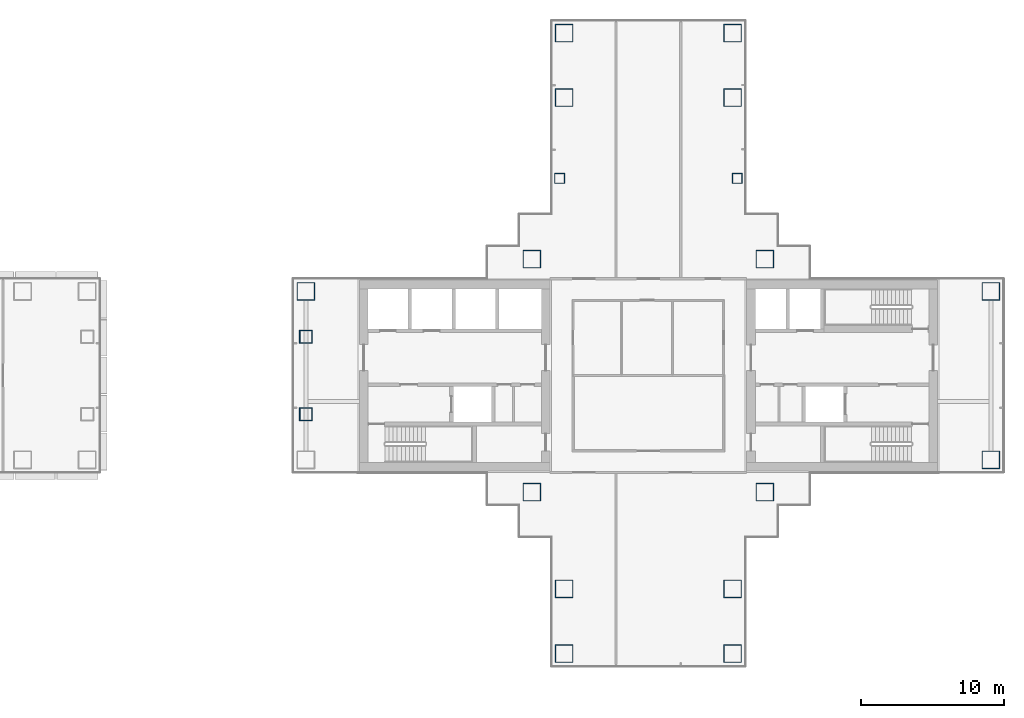
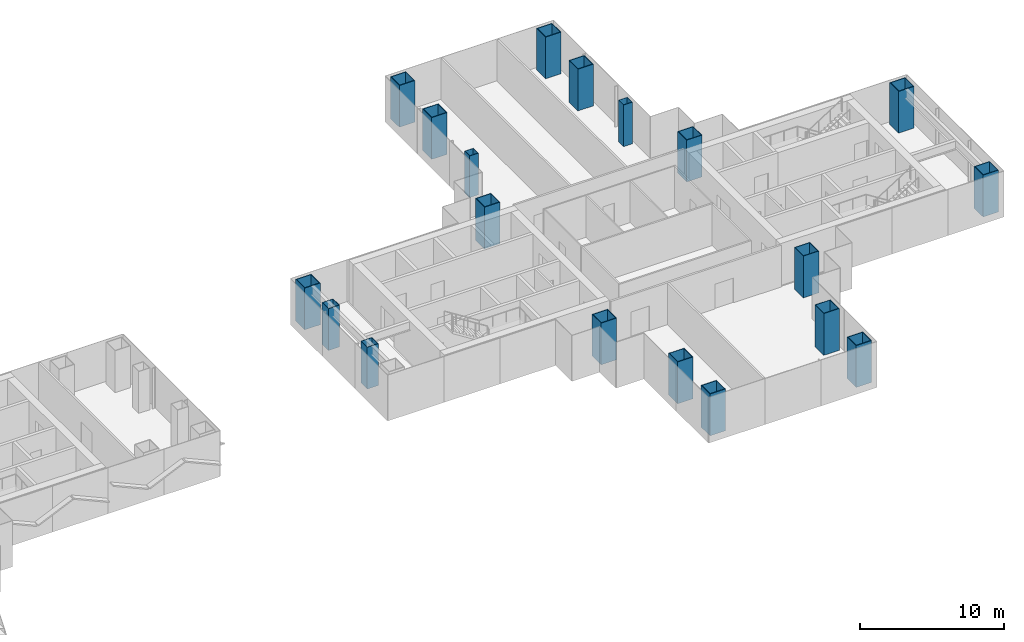
# One storey, part 2 of 18: 19 columns.
"""IFC4 building model written with IfcOpenShell, lengths in metres."""

import ifcopenshell
import ifcopenshell.guid

model = None  # the IFC model being written
_history = None  # IfcOwnerHistory: only IFC2X3 demands one
_inside = {}  # id of a spatial element -> (the spatial element, [elements in it])
_under = {}  # id of a project, library or spatial element -> (it, [spatial elements below it])
_declared = {}  # id of a project -> (the project, [libraries it declares])
_typed = {}  # id of a type object -> (the type object, [elements of that type])
_made_of = {}  # id of a material, layer set ... -> (it, [elements and type objects made of it])


def new_model(schema):
    """Start an empty IFC model of exactly this schema.

    Asked for "IFC4X3", IfcOpenShell would pick the latest addendum, in which some entities
    have other attributes; the version numbers below select the first issue.
    IFC2X3 requires an IfcOwnerHistory on every rooted entity: one is made here for all.
    """
    global model, _history
    if schema == "IFC4X3":
        model = ifcopenshell.file(schema_version=(4, 3, 0, 0))
    else:
        model = ifcopenshell.file(schema=schema)
    _inside.clear()
    _under.clear()
    _declared.clear()
    _typed.clear()
    _made_of.clear()
    _history = None
    if model.schema == "IFC2X3":
        org = make("IfcOrganization", Name="unknown")
        user = make(
            "IfcPersonAndOrganization",
            ThePerson=make("IfcPerson", FamilyName="unknown"),
            TheOrganization=org,
        )
        app = make(
            "IfcApplication",
            ApplicationDeveloper=org,
            Version="unknown",
            ApplicationFullName="unknown",
            ApplicationIdentifier="unknown",
        )
        _history = make(
            "IfcOwnerHistory",
            OwningUser=user,
            OwningApplication=app,
            ChangeAction="ADDED",
            CreationDate=0,
        )
    return model


def make(cls, **values):
    """One entity of the class cls with the attributes given. An attribute that is None is left unset."""
    return model.create_entity(
        cls, **{name: value for name, value in values.items() if value is not None}
    )


def rooted(cls, **values):
    """An entity with a GlobalId (a new one), such as an element, a storey or a relation."""
    return make(cls, GlobalId=ifcopenshell.guid.new(), OwnerHistory=_history, **values)


def si_unit(unit_type, name, prefix=None):
    """IfcSIUnit, for example si_unit("LENGTHUNIT", "METRE", prefix="MILLI")."""
    return make("IfcSIUnit", UnitType=unit_type, Prefix=prefix, Name=name)


def assignment(units):
    """IfcUnitAssignment: the units of a project."""
    return None if units is None else make("IfcUnitAssignment", Units=units)


def point(xyz):
    """IfcCartesianPoint."""
    return None if xyz is None else make("IfcCartesianPoint", Coordinates=xyz)


def direction(xyz):
    """IfcDirection."""
    return None if xyz is None else make("IfcDirection", DirectionRatios=xyz)


def frame(location, z_axis=None, x_axis=None):
    """IfcAxis2Placement3D, a coordinate frame: its origin and axes. An axis left out is left unset."""
    return make(
        "IfcAxis2Placement3D",
        Location=point(location),
        Axis=direction(z_axis),
        RefDirection=direction(x_axis),
    )


def frame_2d(location, x_axis=None):
    """IfcAxis2Placement2D, a coordinate frame in the plane: its origin and x axis."""
    return make(
        "IfcAxis2Placement2D", Location=point(location), RefDirection=direction(x_axis)
    )


def origin():
    """The frame at (0, 0, 0) with its axes left unset."""
    return frame((0.0, 0.0, 0.0))


def origin_2d():
    """The frame at (0, 0) in the plane with its x axis left unset."""
    return frame_2d((0.0, 0.0))


def place(relative_to, where):
    """IfcLocalPlacement: puts the frame where relative to a parent placement (None: the world)."""
    return make(
        "IfcLocalPlacement", PlacementRelTo=relative_to, RelativePlacement=where
    )


def context(
    kind, dimensions, precision=None, world=None, true_north=None, identifier=None
):
    """IfcGeometricRepresentationContext, for example the 3D "Model" context."""
    return make(
        "IfcGeometricRepresentationContext",
        ContextIdentifier=identifier,
        ContextType=kind,
        CoordinateSpaceDimension=dimensions,
        Precision=precision,
        WorldCoordinateSystem=world,
        TrueNorth=true_north,
    )


def subcontext(parent, identifier, kind, view, scale=None):
    """IfcGeometricRepresentationSubContext, for example "Body" below "Model"."""
    return make(
        "IfcGeometricRepresentationSubContext",
        ContextIdentifier=identifier,
        ContextType=kind,
        ParentContext=parent,
        TargetScale=scale,
        TargetView=view,
    )


def project(units=None, contexts=None):
    """IfcProject with its units and contexts."""
    return rooted(
        "IfcProject",
        Name="project",
        RepresentationContexts=contexts,
        UnitsInContext=assignment(units),
    )


def spatial(cls, under=None, at=None, **own):
    """A site, building, storey or space (cls), placed at a placement, below another one or the project."""
    s = rooted(cls, ObjectPlacement=at, **own)
    if under is not None:
        _under.setdefault(under.id(), (under, []))[1].append(s)
    return s


def profile(cls, at=None, kind="AREA", **sizes):
    """A parametric profile (cls). Its sizes go by their IFC names, for example OverallWidth=200.0."""
    return make(cls, ProfileType=kind, Position=at, **sizes)


def hollow_rectangle(**sizes):
    """IfcRectangleHollowProfileDef."""
    return profile("IfcRectangleHollowProfileDef", **sizes)


def extrude(swept, where, along, depth):
    """IfcExtrudedAreaSolid: the profile swept, set in the frame where, extruded along a direction by depth."""
    return make(
        "IfcExtrudedAreaSolid",
        SweptArea=swept,
        Position=where,
        ExtrudedDirection=direction(along),
        Depth=depth,
    )


def shape(context_of_items, identifier, shape_type, items):
    """IfcShapeRepresentation: the items that make up one representation, for example the "Body"."""
    return make(
        "IfcShapeRepresentation",
        ContextOfItems=context_of_items,
        RepresentationIdentifier=identifier,
        RepresentationType=shape_type,
        Items=items,
    )


def material(Name=None, Category=None):
    """IfcMaterial."""
    return make("IfcMaterial", Name=Name, Category=Category)


def material_profile(
    of_material, cross_section, Name=None, Category=None, Priority=None
):
    """IfcMaterialProfile: a cross section and its material."""
    return make(
        "IfcMaterialProfile",
        Name=Name,
        Material=of_material,
        Profile=cross_section,
        Priority=Priority,
        Category=Category,
    )


def profile_set(profiles, Name=None, composite=None):
    """IfcMaterialProfileSet."""
    return make(
        "IfcMaterialProfileSet",
        Name=Name,
        MaterialProfiles=profiles,
        CompositeProfile=composite,
    )


def made_of(thing, what):
    """Note that an element or type object is made of a material, layer set ...; save() writes the relation."""
    if what is not None:
        _made_of.setdefault(what.id(), (what, []))[1].append(thing)
    return thing


def type_object(cls, material=None, **own):
    """A type object (cls), such as IfcWallType, which elements share."""
    return made_of(rooted(cls, **own), material)


def element(
    cls,
    number,
    at=None,
    inside=None,
    cuts=None,
    type_object=None,
    material=None,
    context=None,
    identifier="Body",
    shape_type=None,
    held_by="IfcProductDefinitionShape",
    body=None,
    shapes=None,
    **own,
):
    """One element of the class cls, such as IfcWall. Its Tag is "e" and its number.

    at: its placement. inside: the storey or other place that contains it. cuts: it is an
    opening in that element (IfcRelVoidsElement). A single representation is given by context,
    identifier, shape_type and body (its items); several are given by shapes. held_by: the class
    of the entity that holds the representations. save() writes the other relations.
    """
    e = rooted(cls, Tag="e%d" % number, ObjectPlacement=at, **own)
    if body is not None:
        shapes = [shape(context, identifier, shape_type, body)]
    if shapes is not None:
        e.Representation = make(held_by, Representations=shapes)
    if inside is not None:
        _inside.setdefault(inside.id(), (inside, []))[1].append(e)
    if cuts is not None:
        rooted(
            "IfcRelVoidsElement", RelatingBuildingElement=cuts, RelatedOpeningElement=e
        )
    if type_object is not None:
        _typed.setdefault(type_object.id(), (type_object, []))[1].append(e)
    return made_of(e, material)


def aggregate(whole, parts):
    """IfcRelAggregates: a whole, such as a stair, and the parts it consists of."""
    return rooted("IfcRelAggregates", RelatingObject=whole, RelatedObjects=parts)


def save(model, path):
    """Write the relations noted so far, then the file.

    IfcRelAggregates (storeys below a building ...), IfcRelContainedInSpatialStructure (elements
    in a storey), IfcRelDefinesByType, IfcRelAssociatesMaterial and IfcRelDeclares: one each for
    every whole, place, type object, material and project.
    """
    for whole, parts in _under.values():
        aggregate(whole, parts)
    for where, things in _inside.values():
        rooted(
            "IfcRelContainedInSpatialStructure",
            RelatedElements=things,
            RelatingStructure=where,
        )
    for kind, things in _typed.values():
        rooted("IfcRelDefinesByType", RelatedObjects=things, RelatingType=kind)
    for what, things in _made_of.values():
        rooted("IfcRelAssociatesMaterial", RelatedObjects=things, RelatingMaterial=what)
    for by, libraries in _declared.values():
        rooted("IfcRelDeclares", RelatingContext=by, RelatedDefinitions=libraries)
    model.write(path)


model = new_model("IFC4")

# Units and contexts
model_context = context("Model", 3, precision=1e-05, world=origin(), true_north=direction((0.0, 1.0)))
body_context = subcontext(model_context, "Body", "Model", "MODEL_VIEW")
ifc_project = project(units=[si_unit("LENGTHUNIT", "METRE"), si_unit("AREAUNIT", "SQUARE_METRE"), si_unit("VOLUMEUNIT", "CUBIC_METRE"), si_unit("PLANEANGLEUNIT", "RADIAN"), si_unit("MASSUNIT", "GRAM", prefix="KILO")], contexts=[model_context])

# Site, building, storey
site_placement = place(None, origin())
site = spatial("IfcSite", under=ifc_project, at=site_placement, CompositionType="ELEMENT")
building_placement = place(site_placement, origin())
building = spatial("IfcBuilding", under=site, at=building_placement, Name="Shamsa Quay Exchange Towers", CompositionType="ELEMENT")
storey_placement = place(building_placement, frame((0.0, 0.0, 117.0)))
storey = spatial("IfcBuildingStorey", under=building, at=storey_placement, Name="L27", CompositionType="ELEMENT", Elevation=117.0)

# Columns
ifc_material_1 = material(Name="Concrete-filled steel tube S355 / C80/95", Category="concrete")
ifc_material_profile_1 = material_profile(ifc_material_1, hollow_rectangle(XDim=1.25, YDim=1.25, WallThickness=0.050048828125, at=origin_2d()), Name="CFT 1250x1250x50")
ifc_profile_set_1 = profile_set([ifc_material_profile_1], Name="Concrete-filled steel tube S355 / C80/95")
column_type_1 = type_object("IfcColumnType", Name="Column CFT 1250x1250x50", PredefinedType="COLUMN", material=ifc_profile_set_1)
for number, where, name in (
    (1, (25.625, 8.125, 0.0), "Mega column T2-CM01"),
    (2, (41.875, 8.125, 0.0), "Mega column T2-CM02"),
    (3, (25.625, -8.125, 0.0), "Mega column T2-CM03"),
    (4, (41.875, -8.125, 0.0), "Mega column T2-CM04"),
    (5, (39.625, 19.375, 0.0), "Mega column T2-CM06"),
    (6, (39.625, 23.875, 0.0), "Mega column T2-CM07"),
    (7, (27.875, 19.375, 0.0), "Mega column T2-CM10"),
    (8, (27.875, 23.875, 0.0), "Mega column T2-CM11"),
    (9, (39.625, -14.875, 0.0), "Mega column T2-CM13"),
    (10, (39.625, -19.375, 0.0), "Mega column T2-CM14"),
    (11, (27.875, -14.875, 0.0), "Mega column T2-CM16"),
    (12, (27.875, -19.375, 0.0), "Mega column T2-CM17"),
    (13, (9.875, 5.875, 0.0), "Mega column T2-CM20"),
    (14, (57.625, -5.875, 0.0), "Mega column T2-CM21"),
    (15, (57.625, 5.875, 0.0), "Mega column T2-CM23"),
):
    element("IfcColumn", number, at=place(storey_placement, frame(where)), inside=storey, type_object=column_type_1, Name=name, PredefinedType="COLUMN", context=body_context, shape_type="SweptSolid", body=[
        extrude(hollow_rectangle(XDim=1.25, YDim=1.25, WallThickness=0.050048828125, at=origin_2d()), origin(), (0.0, 0.0, 1.0), 3.550048828125),
    ])
ifc_material_2 = material(Name="Concrete-filled steel tube S355 / C60/75", Category="concrete")
ifc_material_profile_2 = material_profile(ifc_material_2, hollow_rectangle(XDim=0.699951171875, YDim=0.699951171875, WallThickness=0.02490234375, at=origin_2d()), Name="CFT 700x700x25")
ifc_profile_set_2 = profile_set([ifc_material_profile_2], Name="Concrete-filled steel tube S355 / C60/75")
column_type_2 = type_object("IfcColumnType", Name="Column CFT 700x700x25", PredefinedType="COLUMN", material=ifc_profile_set_2)
for number, where, name in (
    (16, (39.9375, 13.75, 0.0), "Perimeter column T2-CP05"),
    (17, (27.5625, 13.75, 0.0), "Perimeter column T2-CP09"),
):
    element("IfcColumn", number, at=place(storey_placement, frame(where)), inside=storey, type_object=column_type_2, Name=name, PredefinedType="COLUMN", context=body_context, shape_type="SweptSolid", body=[
        extrude(hollow_rectangle(XDim=0.699951171875, YDim=0.699951171875, WallThickness=0.02490234375, at=origin_2d()), origin(), (0.0, 0.0, 1.0), 3.550048828125),
    ])
ifc_material_3 = material(Name="Concrete-filled steel tube S355 / C70/85", Category="concrete")
ifc_material_profile_3 = material_profile(ifc_material_3, hollow_rectangle(XDim=0.89990234375, YDim=0.89990234375, WallThickness=0.035888671875, at=origin_2d()), Name="CFT 900x900x36")
ifc_profile_set_3 = profile_set([ifc_material_profile_3], Name="Concrete-filled steel tube S355 / C70/85")
column_type_3 = type_object("IfcColumnType", Name="Landing column CFT 900x900x36", PredefinedType="COLUMN", material=ifc_profile_set_3)
for number, where, name in (
    (18, (9.875, -2.699951171875, 0.0), "Landing column T2 S"),
    (19, (9.875, 2.699951171875, 0.0), "Landing column T2 N"),
):
    element("IfcColumn", number, at=place(storey_placement, frame(where)), inside=storey, type_object=column_type_3, Name=name, PredefinedType="COLUMN", context=body_context, shape_type="SweptSolid", body=[
        extrude(hollow_rectangle(XDim=0.89990234375, YDim=0.89990234375, WallThickness=0.035888671875, at=origin_2d()), origin(), (0.0, 0.0, 1.0), 3.550048828125),
    ])

save(model, "model.ifc")
